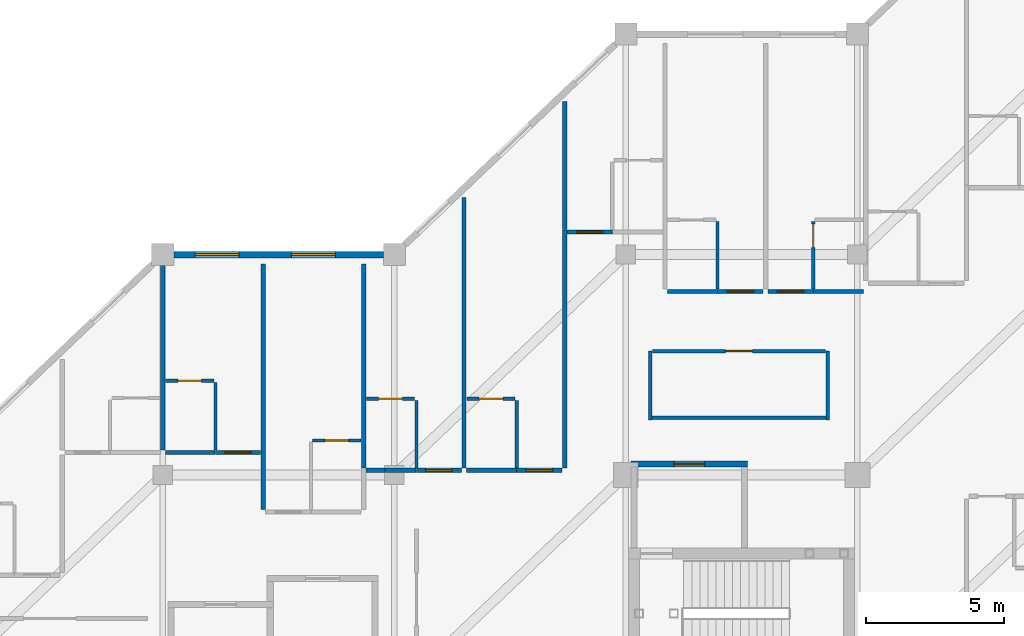
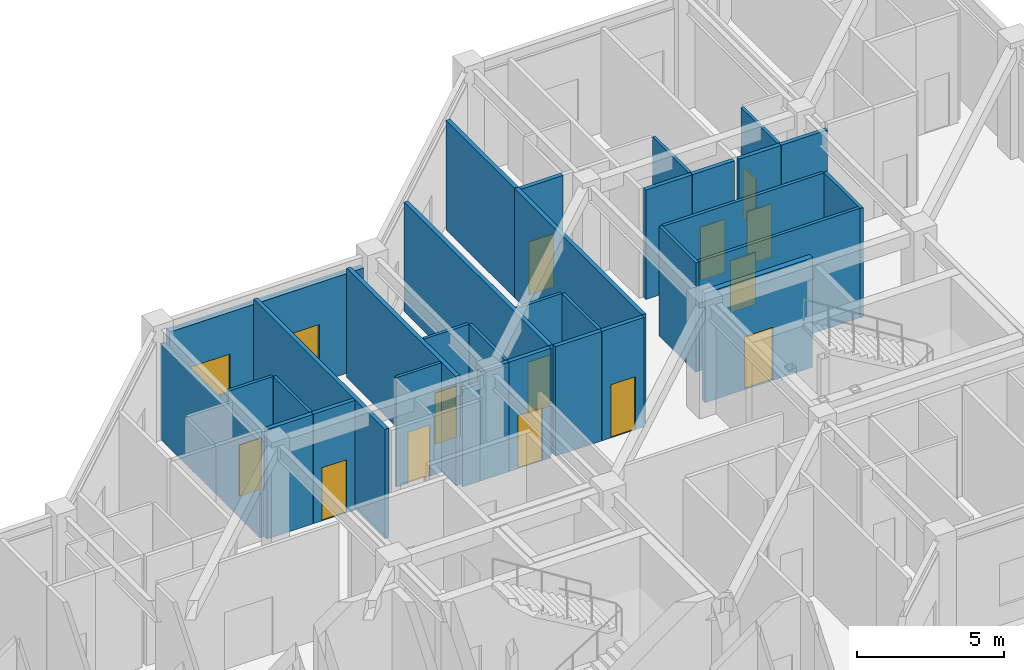
# One storey, part 64 of 76: 33 walls, 13 doors, 2 windows, 15 openings.
"""IFC4 building model written with IfcOpenShell, lengths in metres."""

from ifc_helpers import new_model, si_unit, direction, frame, frame_2d, origin, place, context, subcontext, project, spatial, rectangle, extrude, material, layer, layer_set, type_object, element, fill, save


model = new_model("IFC4")

# Units and contexts
model_context = context("Model", 3, precision=1e-05, world=origin(), true_north=direction((0.0, 1.0)))
body_context = subcontext(model_context, "Body", "Model", "MODEL_VIEW")
ifc_project = project(units=[si_unit("LENGTHUNIT", "METRE"), si_unit("AREAUNIT", "SQUARE_METRE"), si_unit("VOLUMEUNIT", "CUBIC_METRE"), si_unit("PLANEANGLEUNIT", "RADIAN"), si_unit("MASSUNIT", "GRAM", prefix="KILO")], contexts=[model_context])

# Site, building, storey
site_placement = place(None, origin())
site = spatial("IfcSite", under=ifc_project, at=site_placement, CompositionType="ELEMENT")
building_placement = place(site_placement, origin())
building = spatial("IfcBuilding", under=site, at=building_placement, Name="Naruveol Harbour Congress Hotel", CompositionType="ELEMENT")
storey_placement = place(building_placement, frame((0.0, 0.0, 11.39990234375)))
storey = spatial("IfcBuildingStorey", under=building, at=storey_placement, Name="L02", CompositionType="ELEMENT", Elevation=11.39990234375)

# Wall
ifc_material_1 = material(Name="Moisture-Resistant Gypsum Partition", Category="gypsum")
ifc_layer_1 = layer(ifc_material_1, 0.114990234375)
ifc_layer_set_1 = layer_set([ifc_layer_1], Name="Moisture-Resistant Gypsum Partition")
wall_type_1 = type_object("IfcWallType", Name="BATHROOM MOISTURE PARTITION WALL 115", PredefinedType="PARTITIONING", material=ifc_layer_set_1)
wall_1_placement = place(storey_placement, frame((153.110107421875, 32.909912109375, 0.0), z_axis=(0.0, 0.0, 1.0), x_axis=(0.0, 1.0, 0.0)))
element("IfcWall", 1, at=wall_1_placement, inside=storey, type_object=wall_type_1, Name="Bathroom east wall 0328 PW-115", PredefinedType="PARTITIONING", context=body_context, shape_type="SweptSolid", body=[
    extrude(rectangle(XDim=2.4501953125, YDim=0.114990234375, at=frame_2d((1.22509765625, 0.0))), origin(), (0.0, 0.0, 1.0), 4.53515625),
])

# Wall, opening, door
wall_2_placement = place(storey_placement, frame((151.300048828125, 35.419921875, 0.0), z_axis=(0.0, 0.0, 1.0), x_axis=(1.0, 0.0, 0.0)))
wall_2 = element("IfcWall", 2, at=wall_2_placement, inside=storey, type_object=wall_type_1, Name="Bathroom north wall 0328 PW-115", PredefinedType="PARTITIONING", context=body_context, shape_type="SweptSolid", body=[
    extrude(rectangle(XDim=1.75, YDim=0.114990234375, at=frame_2d((0.875, 0.0))), origin(), (0.0, 0.0, 1.0), 4.53515625),
])
opening_1_placement = place(wall_2_placement, frame((0.445068359375, 0.0, 0.0)))
opening_1 = element("IfcOpeningElement", 3, at=opening_1_placement, cuts=wall_2, Name="Opening BD-RM0328", PredefinedType="OPENING", context=body_context, shape_type="SweptSolid", body=[
    extrude(rectangle(XDim=0.860107421875, YDim=2.1201171875, at=frame_2d((0.43017578125, 1.06005859375))), frame((0.0, 0.0673828125, 0.0), z_axis=(0.0, -1.0, 0.0), x_axis=(1.0, 0.0, 0.0)), (0.0, 0.0, 1.0), 0.135009765625),
])
ifc_material_2 = material(Name="Timber & Steel Acoustic Leaf", Category="steel")
door_type_1 = type_object("IfcDoorType", Name="GUEST BATHROOM DOOR 860X2120", OperationType="NOTDEFINED", PredefinedType="DOOR", material=ifc_material_2)
door_1_placement = place(opening_1_placement, origin())
door_1 = element("IfcDoor", 4, at=door_1_placement, inside=storey, type_object=door_type_1, Name="Bathroom Door 0328", OperationType="SINGLE_SWING_RIGHT", OverallHeight=2.1201171875, OverallWidth=0.860107421875, PredefinedType="DOOR", context=body_context, shape_type="SweptSolid", body=[
    extrude(rectangle(XDim=0.860107421875, YDim=2.1201171875, at=frame_2d((0.43017578125, 1.06005859375))), frame((0.0, 0.02490234375, 0.0), z_axis=(0.0, -1.0, 0.0), x_axis=(1.0, 0.0, 0.0)), (0.0, 0.0, 1.0), 0.050048828125),
])
fill(opening_1, door_1)

wall_3_placement = place(storey_placement, frame((156.639892578125, 33.260009765625, 0.0), z_axis=(0.0, 0.0, 1.0), x_axis=(1.0, 0.0, 0.0)))
wall_3 = element("IfcWall", 5, at=wall_3_placement, inside=storey, type_object=wall_type_1, Name="Bathroom north wall 0329 PW-115", PredefinedType="PARTITIONING", context=body_context, shape_type="SweptSolid", body=[
    extrude(rectangle(XDim=1.75, YDim=0.114990234375, at=frame_2d((0.875, 0.0))), origin(), (0.0, 0.0, 1.0), 4.53515625),
])
opening_2_placement = place(wall_3_placement, frame((0.445068359375, 0.0, 0.0)))
opening_2 = element("IfcOpeningElement", 6, at=opening_2_placement, cuts=wall_3, Name="Opening BD-RM0329", PredefinedType="OPENING", context=body_context, shape_type="SweptSolid", body=[
    extrude(rectangle(XDim=0.860107421875, YDim=2.1201171875, at=frame_2d((0.43017578125, 1.06005859375))), frame((0.0, 0.0673828125, 0.0), z_axis=(0.0, -1.0, 0.0), x_axis=(1.0, 0.0, 0.0)), (0.0, 0.0, 1.0), 0.135009765625),
])
door_2_placement = place(opening_2_placement, origin())
door_2 = element("IfcDoor", 7, at=door_2_placement, inside=storey, type_object=door_type_1, Name="Bathroom Door 0329", OperationType="SINGLE_SWING_RIGHT", OverallHeight=2.1201171875, OverallWidth=0.860107421875, PredefinedType="DOOR", context=body_context, shape_type="SweptSolid", body=[
    extrude(rectangle(XDim=0.860107421875, YDim=2.1201171875, at=frame_2d((0.43017578125, 1.06005859375))), frame((0.0, 0.02490234375, 0.0), z_axis=(0.0, -1.0, 0.0), x_axis=(1.0, 0.0, 0.0)), (0.0, 0.0, 1.0), 0.050048828125),
])
fill(opening_2, door_2)

# Wall
wall_4_placement = place(storey_placement, frame((160.39990234375, 32.260009765625, 0.0), z_axis=(0.0, 0.0, 1.0), x_axis=(0.0, 1.0, 0.0)))
element("IfcWall", 8, at=wall_4_placement, inside=storey, type_object=wall_type_1, Name="Bathroom east wall 0330 PW-115", PredefinedType="PARTITIONING", context=body_context, shape_type="SweptSolid", body=[
    extrude(rectangle(XDim=2.449951171875, YDim=0.114990234375, at=frame_2d((1.22509765625, 0.0))), origin(), (0.0, 0.0, 1.0), 4.53515625),
])

# Wall, opening, door
wall_5_placement = place(storey_placement, frame((158.590087890625, 34.77001953125, 0.0), z_axis=(0.0, 0.0, 1.0), x_axis=(1.0, 0.0, 0.0)))
wall_5 = element("IfcWall", 9, at=wall_5_placement, inside=storey, type_object=wall_type_1, Name="Bathroom north wall 0330 PW-115", PredefinedType="PARTITIONING", context=body_context, shape_type="SweptSolid", body=[
    extrude(rectangle(XDim=1.75, YDim=0.114990234375, at=frame_2d((0.875, 0.0))), origin(), (0.0, 0.0, 1.0), 4.53515625),
])
opening_3_placement = place(wall_5_placement, frame((0.445068359375, 0.0, 0.0)))
opening_3 = element("IfcOpeningElement", 10, at=opening_3_placement, cuts=wall_5, Name="Opening BD-RM0330", PredefinedType="OPENING", context=body_context, shape_type="SweptSolid", body=[
    extrude(rectangle(XDim=0.860107421875, YDim=2.1201171875, at=frame_2d((0.43017578125, 1.06005859375))), frame((0.0, 0.0673828125, 0.0), z_axis=(0.0, -1.0, 0.0), x_axis=(1.0, 0.0, 0.0)), (0.0, 0.0, 1.0), 0.135009765625),
])
door_3_placement = place(opening_3_placement, origin())
door_3 = element("IfcDoor", 11, at=door_3_placement, inside=storey, type_object=door_type_1, Name="Bathroom Door 0330", OperationType="SINGLE_SWING_RIGHT", OverallHeight=2.1201171875, OverallWidth=0.860107421875, PredefinedType="DOOR", context=body_context, shape_type="SweptSolid", body=[
    extrude(rectangle(XDim=0.860107421875, YDim=2.1201171875, at=frame_2d((0.43017578125, 1.06005859375))), frame((0.0, 0.02490234375, 0.0), z_axis=(0.0, -1.0, 0.0), x_axis=(1.0, 0.0, 0.0)), (0.0, 0.0, 1.0), 0.050048828125),
])
fill(opening_3, door_3)

# Wall
wall_6_placement = place(storey_placement, frame((164.0400390625, 32.260009765625, 0.0), z_axis=(0.0, 0.0, 1.0), x_axis=(0.0, 1.0, 0.0)))
element("IfcWall", 12, at=wall_6_placement, inside=storey, type_object=wall_type_1, Name="Bathroom east wall 0331 PW-115", PredefinedType="PARTITIONING", context=body_context, shape_type="SweptSolid", body=[
    extrude(rectangle(XDim=2.449951171875, YDim=0.114990234375, at=frame_2d((1.22509765625, 0.0))), origin(), (0.0, 0.0, 1.0), 4.53515625),
])

# Wall, opening, door
wall_7_placement = place(storey_placement, frame((162.22998046875, 34.77001953125, 0.0), z_axis=(0.0, 0.0, 1.0), x_axis=(1.0, 0.0, 0.0)))
wall_7 = element("IfcWall", 13, at=wall_7_placement, inside=storey, type_object=wall_type_1, Name="Bathroom north wall 0331 PW-115", PredefinedType="PARTITIONING", context=body_context, shape_type="SweptSolid", body=[
    extrude(rectangle(XDim=1.75, YDim=0.114990234375, at=frame_2d((0.875, 0.0))), origin(), (0.0, 0.0, 1.0), 4.53515625),
])
opening_4_placement = place(wall_7_placement, frame((0.445068359375, 0.0, 0.0)))
opening_4 = element("IfcOpeningElement", 14, at=opening_4_placement, cuts=wall_7, Name="Opening BD-RM0331", PredefinedType="OPENING", context=body_context, shape_type="SweptSolid", body=[
    extrude(rectangle(XDim=0.860107421875, YDim=2.1201171875, at=frame_2d((0.43017578125, 1.06005859375))), frame((0.0, 0.0673828125, 0.0), z_axis=(0.0, -1.0, 0.0), x_axis=(1.0, 0.0, 0.0)), (0.0, 0.0, 1.0), 0.135009765625),
])
door_4_placement = place(opening_4_placement, origin())
door_4 = element("IfcDoor", 15, at=door_4_placement, inside=storey, type_object=door_type_1, Name="Bathroom Door 0331", OperationType="SINGLE_SWING_RIGHT", OverallHeight=2.1201171875, OverallWidth=0.860107421875, PredefinedType="DOOR", context=body_context, shape_type="SweptSolid", body=[
    extrude(rectangle(XDim=0.860107421875, YDim=2.1201171875, at=frame_2d((0.43017578125, 1.06005859375))), frame((0.0, 0.02490234375, 0.0), z_axis=(0.0, -1.0, 0.0), x_axis=(1.0, 0.0, 0.0)), (0.0, 0.0, 1.0), 0.050048828125),
])
fill(opening_4, door_4)

# Wall
wall_8_placement = place(storey_placement, frame((171.330078125, 38.75, 0.0), z_axis=(0.0, 0.0, 1.0), x_axis=(0.0, 1.0, 0.0)))
element("IfcWall", 16, at=wall_8_placement, inside=storey, type_object=wall_type_1, Name="Bathroom east wall 0333 PW-115", PredefinedType="PARTITIONING", context=body_context, shape_type="SweptSolid", body=[
    extrude(rectangle(XDim=2.449951171875, YDim=0.114990234375, at=frame_2d((1.22509765625, 0.0))), origin(), (0.0, 0.0, 1.0), 4.53515625),
])

# Wall, opening, door
wall_9_placement = place(storey_placement, frame((174.800048828125, 38.75, 0.0), z_axis=(0.0, 0.0, 1.0), x_axis=(0.0, 1.0, 0.0)))
wall_9 = element("IfcWall", 17, at=wall_9_placement, inside=storey, type_object=wall_type_1, Name="Bathroom west wall 0334 PW-115", PredefinedType="PARTITIONING", context=body_context, shape_type="SweptSolid", body=[
    extrude(rectangle(XDim=2.449951171875, YDim=0.114990234375, at=frame_2d((1.22509765625, 0.0))), origin(), (0.0, 0.0, 1.0), 4.53515625),
])
opening_5_placement = place(wall_9_placement, frame((1.5, 0.0, 0.0)))
opening_5 = element("IfcOpeningElement", 18, at=opening_5_placement, cuts=wall_9, Name="Opening BD-RM0334", PredefinedType="OPENING", context=body_context, shape_type="SweptSolid", body=[
    extrude(rectangle(XDim=0.860107421875, YDim=2.1201171875, at=frame_2d((0.43017578125, 1.06005859375))), frame((0.0, 0.0673828125, 0.0), z_axis=(0.0, -1.0, 0.0), x_axis=(1.0, 0.0, 0.0)), (0.0, 0.0, 1.0), 0.135009765625),
])
door_5_placement = place(opening_5_placement, origin())
door_5 = element("IfcDoor", 19, at=door_5_placement, inside=storey, type_object=door_type_1, Name="Bathroom Door 0334", OperationType="SINGLE_SWING_RIGHT", OverallHeight=2.1201171875, OverallWidth=0.860107421875, PredefinedType="DOOR", context=body_context, shape_type="SweptSolid", body=[
    extrude(rectangle(XDim=0.860107421875, YDim=2.1201171875, at=frame_2d((0.43017578125, 1.06005859375))), frame((0.0, 0.02490234375, 0.0), z_axis=(0.0, -1.0, 0.0), x_axis=(1.0, 0.0, 0.0)), (0.0, 0.0, 1.0), 0.050048828125),
])
fill(opening_5, door_5)

ifc_material_3 = material(Name="Concrete C40/50", Category="concrete")
ifc_layer_2 = layer(ifc_material_3, 0.219970703125)
ifc_layer_set_2 = layer_set([ifc_layer_2], Name="Concrete C40/50")
wall_type_2 = type_object("IfcWallType", Name="FIRE COMPARTMENT AND LOBBY WALL 220 EI120", PredefinedType="PARTITIONING", material=ifc_layer_set_2)
wall_10_placement = place(storey_placement, frame((168.18994140625, 32.39990234375, 0.0), z_axis=(0.0, 0.0, 1.0), x_axis=(1.0, 0.0, 0.0)))
wall_10 = element("IfcWall", 20, at=wall_10_placement, inside=storey, type_object=wall_type_2, Name="Smoke vestibule ST4 north wall FW-220", PredefinedType="PARTITIONING", context=body_context, shape_type="SweptSolid", body=[
    extrude(rectangle(XDim=4.219970703125, YDim=0.219970703125, at=frame_2d((2.10986328125, 0.0))), origin(), (0.0, 0.0, 1.0), 4.53515625),
])
opening_6_placement = place(wall_10_placement, frame((1.550048828125, 0.0, 0.0)))
opening_6 = element("IfcOpeningElement", 21, at=opening_6_placement, cuts=wall_10, Name="Opening FD-ST4-V-L02", PredefinedType="OPENING", context=body_context, shape_type="SweptSolid", body=[
    extrude(rectangle(XDim=1.1201171875, YDim=2.199951171875, at=frame_2d((0.56005859375, 1.10009765625))), frame((0.0, 0.119873046875, 0.0), z_axis=(0.0, -1.0, 0.0), x_axis=(1.0, 0.0, 0.0)), (0.0, 0.0, 1.0), 0.239990234375),
])
ifc_material_4 = material(Name="Timber & Steel Acoustic Leaf", Category="steel")
door_type_2 = type_object("IfcDoorType", Name="VESTIBULE SMOKE CONTROL FIRE DOOR 1120X2200", OperationType="NOTDEFINED", PredefinedType="DOOR", material=ifc_material_4)
door_6_placement = place(opening_6_placement, origin())
door_6 = element("IfcDoor", 22, at=door_6_placement, inside=storey, type_object=door_type_2, Name="Smoke Vestibule Entry Door ST4 L02", OperationType="SINGLE_SWING_LEFT", OverallHeight=2.199951171875, OverallWidth=1.1201171875, PredefinedType="DOOR", context=body_context, shape_type="SweptSolid", body=[
    extrude(rectangle(XDim=1.1201171875, YDim=2.199951171875, at=frame_2d((0.56005859375, 1.10009765625))), frame((0.0, 0.02490234375, 0.0), z_axis=(0.0, -1.0, 0.0), x_axis=(1.0, 0.0, 0.0)), (0.0, 0.0, 1.0), 0.050048828125),
])
fill(opening_6, door_6)

# Wall
ifc_material_5 = material(Name="Autoclaved Aerated Concrete Block", Category="concrete")
ifc_layer_3 = layer(ifc_material_5, 0.159912109375)
ifc_layer_set_3 = layer_set([ifc_layer_3], Name="Autoclaved Aerated Concrete Block")
wall_type_3 = type_object("IfcWallType", Name="HOTEL PARTY AND CORRIDOR WALL 160 EI60", PredefinedType="PARTITIONING", material=ifc_layer_set_3)
wall_11_placement = place(storey_placement, frame((151.2900390625, 32.820068359375, 0.0), z_axis=(0.0, 0.0, 1.0), x_axis=(1.0, 0.0, 0.0)))
element("IfcWall", 23, at=wall_11_placement, inside=storey, type_object=wall_type_3, Name="Corridor wall 0328B PW-160", PredefinedType="PARTITIONING", context=body_context, shape_type="SweptSolid", body=[
    extrude(rectangle(XDim=1.81005859375, YDim=0.159912109375, at=frame_2d((0.905029296875, 0.0))), origin(), (0.0, 0.0, 1.0), 4.53515625),
])

# Wall, opening, door
wall_12_placement = place(storey_placement, frame((153.110107421875, 32.820068359375, 0.0), z_axis=(0.0, 0.0, 1.0), x_axis=(1.0, 0.0, 0.0)))
wall_12 = element("IfcWall", 24, at=wall_12_placement, inside=storey, type_object=wall_type_3, Name="Corridor entry wall 0328 PW-160", PredefinedType="PARTITIONING", context=body_context, shape_type="SweptSolid", body=[
    extrude(rectangle(XDim=1.639892578125, YDim=0.159912109375, at=frame_2d((0.81982421875, 0.0))), origin(), (0.0, 0.0, 1.0), 4.53515625),
])
opening_7_placement = place(wall_12_placement, frame((0.340087890625, 0.0, 0.0)))
opening_7 = element("IfcOpeningElement", 25, at=opening_7_placement, cuts=wall_12, Name="Opening FD-RM0328", PredefinedType="OPENING", context=body_context, shape_type="SweptSolid", body=[
    extrude(rectangle(XDim=0.9599609375, YDim=2.199951171875, at=frame_2d((0.47998046875, 1.10009765625))), frame((0.0, 0.08984375, 0.0), z_axis=(0.0, -1.0, 0.0), x_axis=(1.0, 0.0, 0.0)), (0.0, 0.0, 1.0), 0.179931640625),
])
ifc_material_6 = material(Name="Timber & Steel Acoustic Leaf", Category="steel")
door_type_3 = type_object("IfcDoorType", Name="GUEST ROOM ENTRANCE FIRE DOOR 960X2200", OperationType="NOTDEFINED", PredefinedType="DOOR", material=ifc_material_6)
door_7_placement = place(opening_7_placement, origin())
door_7 = element("IfcDoor", 26, at=door_7_placement, inside=storey, type_object=door_type_3, Name="Hotel Room Door 0328", OperationType="SINGLE_SWING_LEFT", OverallHeight=2.199951171875, OverallWidth=0.9599609375, PredefinedType="DOOR", context=body_context, shape_type="SweptSolid", body=[
    extrude(rectangle(XDim=0.9599609375, YDim=2.199951171875, at=frame_2d((0.47998046875, 1.10009765625))), frame((0.0, 0.02490234375, 0.0), z_axis=(0.0, -1.0, 0.0), x_axis=(1.0, 0.0, 0.0)), (0.0, 0.0, 1.0), 0.050048828125),
])
fill(opening_7, door_7)

# Walls
wall_13_placement = place(storey_placement, frame((151.199951171875, 32.909912109375, 0.0), z_axis=(0.0, 0.0, 1.0), x_axis=(0.0, 1.0, 0.0)))
element("IfcWall", 27, at=wall_13_placement, inside=storey, type_object=wall_type_3, Name="Hotel party wall 0328 PW-160", PredefinedType="PARTITIONING", context=body_context, shape_type="SweptSolid", body=[
    extrude(rectangle(XDim=6.75, YDim=0.159912109375, at=frame_2d((3.375, 0.0))), origin(), (0.0, 0.0, 1.0), 3.97998046875),
])
wall_14_placement = place(storey_placement, frame((154.840087890625, 30.75, 0.0), z_axis=(0.0, 0.0, 1.0), x_axis=(0.0, 1.0, 0.0)))
element("IfcWall", 28, at=wall_14_placement, inside=storey, type_object=wall_type_3, Name="Hotel party wall 0329 PW-160", PredefinedType="PARTITIONING", context=body_context, shape_type="SweptSolid", body=[
    extrude(rectangle(XDim=8.909912109375, YDim=0.159912109375, at=frame_2d((4.455078125, 0.0))), origin(), (0.0, 0.0, 1.0), 4.53515625),
])
wall_15_placement = place(storey_placement, frame((158.580078125, 32.169921875, 0.0), z_axis=(0.0, 0.0, 1.0), x_axis=(1.0, 0.0, 0.0)))
element("IfcWall", 29, at=wall_15_placement, inside=storey, type_object=wall_type_3, Name="Corridor wall 0330B PW-160", PredefinedType="PARTITIONING", context=body_context, shape_type="SweptSolid", body=[
    extrude(rectangle(XDim=0.673828125, YDim=0.159912109375, at=frame_2d((0.3369140625, 0.0))), origin(), (0.0, 0.0, 1.0), 4.030029296875),
])

# Wall, opening, door
wall_16_placement = place(storey_placement, frame((160.39990234375, 32.169921875, 0.0), z_axis=(0.0, 0.0, 1.0), x_axis=(1.0, 0.0, 0.0)))
wall_16 = element("IfcWall", 30, at=wall_16_placement, inside=storey, type_object=wall_type_3, Name="Corridor entry wall 0330 PW-160", PredefinedType="PARTITIONING", context=body_context, shape_type="SweptSolid", body=[
    extrude(rectangle(XDim=1.64013671875, YDim=0.159912109375, at=frame_2d((0.820068359375, 0.0))), origin(), (0.0, 0.0, 1.0), 4.53515625),
])
opening_8_placement = place(wall_16_placement, frame((0.340087890625, 0.0, 0.0)))
opening_8 = element("IfcOpeningElement", 31, at=opening_8_placement, cuts=wall_16, Name="Opening FD-RM0330", PredefinedType="OPENING", context=body_context, shape_type="SweptSolid", body=[
    extrude(rectangle(XDim=0.9599609375, YDim=2.199951171875, at=frame_2d((0.47998046875, 1.10009765625))), frame((0.0, 0.08984375, 0.0), z_axis=(0.0, -1.0, 0.0), x_axis=(1.0, 0.0, 0.0)), (0.0, 0.0, 1.0), 0.179931640625),
])
door_8_placement = place(opening_8_placement, origin())
door_8 = element("IfcDoor", 32, at=door_8_placement, inside=storey, type_object=door_type_3, Name="Hotel Room Door 0330", OperationType="SINGLE_SWING_LEFT", OverallHeight=2.199951171875, OverallWidth=0.9599609375, PredefinedType="DOOR", context=body_context, shape_type="SweptSolid", body=[
    extrude(rectangle(XDim=0.9599609375, YDim=2.199951171875, at=frame_2d((0.47998046875, 1.10009765625))), frame((0.0, 0.02490234375, 0.0), z_axis=(0.0, -1.0, 0.0), x_axis=(1.0, 0.0, 0.0)), (0.0, 0.0, 1.0), 0.050048828125),
])
fill(opening_8, door_8)

# Walls
wall_17_placement = place(storey_placement, frame((158.489990234375, 32.260009765625, 0.0), z_axis=(0.0, 0.0, 1.0), x_axis=(0.0, 1.0, 0.0)))
element("IfcWall", 33, at=wall_17_placement, inside=storey, type_object=wall_type_3, Name="Hotel party wall 0330 PW-160", PredefinedType="PARTITIONING", context=body_context, shape_type="SweptSolid", body=[
    extrude(rectangle(XDim=7.39990234375, YDim=0.159912109375, at=frame_2d((3.699951171875, 0.0))), origin(), (0.0, 0.0, 1.0), 4.53515625),
])
wall_18_placement = place(storey_placement, frame((162.219970703125, 32.169921875, 0.0), z_axis=(0.0, 0.0, 1.0), x_axis=(1.0, 0.0, 0.0)))
element("IfcWall", 34, at=wall_18_placement, inside=storey, type_object=wall_type_3, Name="Corridor wall 0331B PW-160", PredefinedType="PARTITIONING", context=body_context, shape_type="SweptSolid", body=[
    extrude(rectangle(XDim=1.81005859375, YDim=0.159912109375, at=frame_2d((0.905029296875, 0.0))), origin(), (0.0, 0.0, 1.0), 4.53515625),
])

# Wall, opening, door
wall_19_placement = place(storey_placement, frame((164.0400390625, 32.169921875, 0.0), z_axis=(0.0, 0.0, 1.0), x_axis=(1.0, 0.0, 0.0)))
wall_19 = element("IfcWall", 35, at=wall_19_placement, inside=storey, type_object=wall_type_3, Name="Corridor entry wall 0331 PW-160", PredefinedType="PARTITIONING", context=body_context, shape_type="SweptSolid", body=[
    extrude(rectangle(XDim=1.64990234375, YDim=0.159912109375, at=frame_2d((0.824951171875, 0.0))), origin(), (0.0, 0.0, 1.0), 4.53515625),
])
opening_9_placement = place(wall_19_placement, frame((0.344970703125, 0.0, 0.0)))
opening_9 = element("IfcOpeningElement", 36, at=opening_9_placement, cuts=wall_19, Name="Opening FD-RM0331", PredefinedType="OPENING", context=body_context, shape_type="SweptSolid", body=[
    extrude(rectangle(XDim=0.9599609375, YDim=2.199951171875, at=frame_2d((0.47998046875, 1.10009765625))), frame((0.0, 0.08984375, 0.0), z_axis=(0.0, -1.0, 0.0), x_axis=(1.0, 0.0, 0.0)), (0.0, 0.0, 1.0), 0.179931640625),
])
door_9_placement = place(opening_9_placement, origin())
door_9 = element("IfcDoor", 37, at=door_9_placement, inside=storey, type_object=door_type_3, Name="Hotel Room Door 0331", OperationType="SINGLE_SWING_LEFT", OverallHeight=2.199951171875, OverallWidth=0.9599609375, PredefinedType="DOOR", context=body_context, shape_type="SweptSolid", body=[
    extrude(rectangle(XDim=0.9599609375, YDim=2.199951171875, at=frame_2d((0.47998046875, 1.10009765625))), frame((0.0, 0.02490234375, 0.0), z_axis=(0.0, -1.0, 0.0), x_axis=(1.0, 0.0, 0.0)), (0.0, 0.0, 1.0), 0.050048828125),
])
fill(opening_9, door_9)

# Walls
wall_20_placement = place(storey_placement, frame((162.1298828125, 32.260009765625, 0.0), z_axis=(0.0, 0.0, 1.0), x_axis=(0.0, 1.0, 0.0)))
element("IfcWall", 38, at=wall_20_placement, inside=storey, type_object=wall_type_3, Name="Hotel party wall 0331 PW-160", PredefinedType="PARTITIONING", context=body_context, shape_type="SweptSolid", body=[
    extrude(rectangle(XDim=9.81005859375, YDim=0.159912109375, at=frame_2d((4.905029296875, 0.0))), origin(), (0.0, 0.0, 1.0), 4.53515625),
])
wall_21_placement = place(storey_placement, frame((165.780029296875, 32.260009765625, 0.0), z_axis=(0.0, 0.0, 1.0), x_axis=(0.0, 1.0, 0.0)))
element("IfcWall", 39, at=wall_21_placement, inside=storey, type_object=wall_type_3, Name="Hotel end party wall 0331 PW-160", PredefinedType="PARTITIONING", context=body_context, shape_type="SweptSolid", body=[
    extrude(rectangle(XDim=8.639892578125, YDim=0.159912109375, at=frame_2d((4.31982421875, 0.0))), origin(), (0.0, 0.0, 1.0), 4.53515625),
])

# Wall, opening, door
wall_22_placement = place(storey_placement, frame((165.8701171875, 40.820068359375, 0.0), z_axis=(0.0, 0.0, 1.0), x_axis=(1.0, 0.0, 0.0)))
wall_22 = element("IfcWall", 40, at=wall_22_placement, inside=storey, type_object=wall_type_3, Name="Corridor entry wall 0332 PW-160", PredefinedType="PARTITIONING", context=body_context, shape_type="SweptSolid", body=[
    extrude(rectangle(XDim=1.639892578125, YDim=0.159912109375, at=frame_2d((0.81982421875, 0.0))), origin(), (0.0, 0.0, 1.0), 4.53515625),
])
opening_10_placement = place(wall_22_placement, frame((0.340087890625, 0.0, 0.0)))
opening_10 = element("IfcOpeningElement", 41, at=opening_10_placement, cuts=wall_22, Name="Opening FD-RM0332", PredefinedType="OPENING", context=body_context, shape_type="SweptSolid", body=[
    extrude(rectangle(XDim=0.9599609375, YDim=2.199951171875, at=frame_2d((0.47998046875, 1.10009765625))), frame((0.0, 0.08984375, 0.0), z_axis=(0.0, -1.0, 0.0), x_axis=(1.0, 0.0, 0.0)), (0.0, 0.0, 1.0), 0.179931640625),
])
door_10_placement = place(opening_10_placement, origin())
door_10 = element("IfcDoor", 42, at=door_10_placement, inside=storey, type_object=door_type_3, Name="Hotel Room Door 0332", OperationType="SINGLE_SWING_LEFT", OverallHeight=2.199951171875, OverallWidth=0.9599609375, PredefinedType="DOOR", context=body_context, shape_type="SweptSolid", body=[
    extrude(rectangle(XDim=0.9599609375, YDim=2.199951171875, at=frame_2d((0.47998046875, 1.10009765625))), frame((0.0, 0.02490234375, 0.0), z_axis=(0.0, -1.0, 0.0), x_axis=(1.0, 0.0, 0.0)), (0.0, 0.0, 1.0), 0.050048828125),
])
fill(opening_10, door_10)

# Walls
wall_23_placement = place(storey_placement, frame((165.780029296875, 40.909912109375, 0.0), z_axis=(0.0, 0.0, 1.0), x_axis=(0.0, 1.0, 0.0)))
element("IfcWall", 43, at=wall_23_placement, inside=storey, type_object=wall_type_3, Name="Hotel party wall 0332 PW-160", PredefinedType="PARTITIONING", context=body_context, shape_type="SweptSolid", body=[
    extrude(rectangle(XDim=4.64013671875, YDim=0.159912109375, at=frame_2d((2.320068359375, 0.0))), origin(), (0.0, 0.0, 1.0), 4.53515625),
])
wall_24_placement = place(storey_placement, frame((169.510009765625, 38.659912109375, 0.0), z_axis=(0.0, 0.0, 1.0), x_axis=(1.0, 0.0, 0.0)))
element("IfcWall", 44, at=wall_24_placement, inside=storey, type_object=wall_type_3, Name="Corridor wall 0333B PW-160", PredefinedType="PARTITIONING", context=body_context, shape_type="SweptSolid", body=[
    extrude(rectangle(XDim=1.81005859375, YDim=0.159912109375, at=frame_2d((0.905029296875, 0.0))), origin(), (0.0, 0.0, 1.0), 4.53515625),
])

# Wall, opening, door
wall_25_placement = place(storey_placement, frame((171.330078125, 38.659912109375, 0.0), z_axis=(0.0, 0.0, 1.0), x_axis=(1.0, 0.0, 0.0)))
wall_25 = element("IfcWall", 45, at=wall_25_placement, inside=storey, type_object=wall_type_3, Name="Corridor entry wall 0333 PW-160", PredefinedType="PARTITIONING", context=body_context, shape_type="SweptSolid", body=[
    extrude(rectangle(XDim=1.64990234375, YDim=0.159912109375, at=frame_2d((0.824951171875, 0.0))), origin(), (0.0, 0.0, 1.0), 4.53515625),
])
opening_11_placement = place(wall_25_placement, frame((0.344970703125, 0.0, 0.0)))
opening_11 = element("IfcOpeningElement", 46, at=opening_11_placement, cuts=wall_25, Name="Opening FD-RM0333", PredefinedType="OPENING", context=body_context, shape_type="SweptSolid", body=[
    extrude(rectangle(XDim=0.9599609375, YDim=2.199951171875, at=frame_2d((0.47998046875, 1.10009765625))), frame((0.0, 0.08984375, 0.0), z_axis=(0.0, -1.0, 0.0), x_axis=(1.0, 0.0, 0.0)), (0.0, 0.0, 1.0), 0.179931640625),
])
door_11_placement = place(opening_11_placement, origin())
door_11 = element("IfcDoor", 47, at=door_11_placement, inside=storey, type_object=door_type_3, Name="Hotel Room Door 0333", OperationType="SINGLE_SWING_LEFT", OverallHeight=2.199951171875, OverallWidth=0.9599609375, PredefinedType="DOOR", context=body_context, shape_type="SweptSolid", body=[
    extrude(rectangle(XDim=0.9599609375, YDim=2.199951171875, at=frame_2d((0.47998046875, 1.10009765625))), frame((0.0, 0.02490234375, 0.0), z_axis=(0.0, -1.0, 0.0), x_axis=(1.0, 0.0, 0.0)), (0.0, 0.0, 1.0), 0.050048828125),
])
fill(opening_11, door_11)

wall_26_placement = place(storey_placement, frame((173.159912109375, 38.659912109375, 0.0), z_axis=(0.0, 0.0, 1.0), x_axis=(1.0, 0.0, 0.0)))
wall_26 = element("IfcWall", 48, at=wall_26_placement, inside=storey, type_object=wall_type_3, Name="Corridor entry wall 0334 PW-160", PredefinedType="PARTITIONING", context=body_context, shape_type="SweptSolid", body=[
    extrude(rectangle(XDim=1.64013671875, YDim=0.159912109375, at=frame_2d((0.820068359375, 0.0))), origin(), (0.0, 0.0, 1.0), 4.53515625),
])
opening_12_placement = place(wall_26_placement, frame((0.340087890625, 0.0, 0.0)))
opening_12 = element("IfcOpeningElement", 49, at=opening_12_placement, cuts=wall_26, Name="Opening FD-RM0334", PredefinedType="OPENING", context=body_context, shape_type="SweptSolid", body=[
    extrude(rectangle(XDim=0.9599609375, YDim=2.199951171875, at=frame_2d((0.47998046875, 1.10009765625))), frame((0.0, 0.08984375, 0.0), z_axis=(0.0, -1.0, 0.0), x_axis=(1.0, 0.0, 0.0)), (0.0, 0.0, 1.0), 0.179931640625),
])
door_12_placement = place(opening_12_placement, origin())
door_12 = element("IfcDoor", 50, at=door_12_placement, inside=storey, type_object=door_type_3, Name="Hotel Room Door 0334", OperationType="SINGLE_SWING_LEFT", OverallHeight=2.199951171875, OverallWidth=0.9599609375, PredefinedType="DOOR", context=body_context, shape_type="SweptSolid", body=[
    extrude(rectangle(XDim=0.9599609375, YDim=2.199951171875, at=frame_2d((0.47998046875, 1.10009765625))), frame((0.0, 0.02490234375, 0.0), z_axis=(0.0, -1.0, 0.0), x_axis=(1.0, 0.0, 0.0)), (0.0, 0.0, 1.0), 0.050048828125),
])
fill(opening_12, door_12)

# Walls
wall_27_placement = place(storey_placement, frame((174.81005859375, 38.659912109375, 0.0), z_axis=(0.0, 0.0, 1.0), x_axis=(1.0, 0.0, 0.0)))
element("IfcWall", 51, at=wall_27_placement, inside=storey, type_object=wall_type_3, Name="Corridor wall 0334B PW-160", PredefinedType="PARTITIONING", context=body_context, shape_type="SweptSolid", body=[
    extrude(rectangle(XDim=1.81005859375, YDim=0.159912109375, at=frame_2d((0.905029296875, 0.0))), origin(), (0.0, 0.0, 1.0), 4.53515625),
])
wall_28_placement = place(storey_placement, frame((159.25390625, 32.169921875, 0.0), z_axis=(0.0, 0.0, 1.0), x_axis=(1.0, 0.0, 0.0)))
element("IfcWall", 52, at=wall_28_placement, inside=storey, type_object=wall_type_3, Name="Corridor wall 0330B PW-160", PredefinedType="PARTITIONING", context=body_context, shape_type="SweptSolid", body=[
    extrude(rectangle(XDim=1.135986328125, YDim=0.159912109375, at=frame_2d((0.56787109375, 0.0))), origin(), (0.0, 0.0, 1.0), 4.53515625),
])

# Wall, openings, windows
ifc_material_7 = material(Name="Concrete C40/50", Category="concrete")
ifc_layer_4 = layer(ifc_material_7, 0.239990234375)
ifc_layer_set_4 = layer_set([ifc_layer_4], Name="Concrete C40/50")
wall_type_4 = type_object("IfcWallType", Name="INSULATED HOTEL SPANDREL WALL 240", PredefinedType="SOLIDWALL", material=ifc_layer_set_4)
wall_29_placement = place(storey_placement, frame((151.60009765625, 40.0, 0.0), z_axis=(0.0, 0.0, 1.0), x_axis=(1.0, 0.0, 0.0)))
wall_29 = element("IfcWall", 53, at=wall_29_placement, inside=storey, type_object=wall_type_4, Name="Hotel north bay wall L02 EW-240", PredefinedType="SOLIDWALL", context=body_context, shape_type="SweptSolid", body=[
    extrude(rectangle(XDim=7.599853515625, YDim=0.239990234375, at=frame_2d((3.7998046875, 0.0))), origin(), (0.0, 0.0, 1.0), 4.130126953125),
])
opening_13_placement = place(wall_29_placement, frame((0.77001953125, 0.0, 0.800048828125)))
opening_13 = element("IfcOpeningElement", 54, at=opening_13_placement, cuts=wall_29, Name="Opening W-03", PredefinedType="OPENING", context=body_context, shape_type="SweptSolid", body=[
    extrude(rectangle(XDim=1.60009765625, YDim=1.60009765625, at=frame_2d((0.800048828125, 0.800048828125))), frame((0.0, 0.1298828125, 0.0), z_axis=(0.0, -1.0, 0.0), x_axis=(1.0, 0.0, 0.0)), (0.0, 0.0, 1.0), 0.260009765625),
])
opening_14_placement = place(wall_29_placement, frame((4.264892578125, 0.0, 0.800048828125)))
opening_14 = element("IfcOpeningElement", 55, at=opening_14_placement, cuts=wall_29, Name="Opening W-03", PredefinedType="OPENING", context=body_context, shape_type="SweptSolid", body=[
    extrude(rectangle(XDim=1.60009765625, YDim=1.60009765625, at=frame_2d((0.800048828125, 0.800048828125))), frame((0.0, 0.1298828125, 0.0), z_axis=(0.0, -1.0, 0.0), x_axis=(1.0, 0.0, 0.0)), (0.0, 0.0, 1.0), 0.260009765625),
])
ifc_material_8 = material(Name="Low-E Triple Glazing in Thermal Aluminium", Category="aluminium")
window_type = type_object("IfcWindowType", Name="DELUXE GUEST WINDOW 1600X1600", PartitioningType="SINGLE_PANEL", PredefinedType="WINDOW", material=ifc_material_8)
window_1_placement = place(opening_13_placement, origin())
window_1 = element("IfcWindow", 56, at=window_1_placement, inside=storey, type_object=window_type, Name="Window W-03 #204", OverallHeight=1.60009765625, OverallWidth=1.60009765625, PartitioningType="SINGLE_PANEL", PredefinedType="WINDOW", context=body_context, shape_type="SweptSolid", body=[
    extrude(rectangle(XDim=1.60009765625, YDim=1.60009765625, at=frame_2d((0.800048828125, 0.800048828125))), frame((0.0, 0.030029296875, 0.0), z_axis=(0.0, -1.0, 0.0), x_axis=(1.0, 0.0, 0.0)), (0.0, 0.0, 1.0), 0.06005859375),
])
fill(opening_13, window_1)
window_2_placement = place(opening_14_placement, origin())
window_2 = element("IfcWindow", 57, at=window_2_placement, inside=storey, type_object=window_type, Name="Window W-03 #205", OverallHeight=1.60009765625, OverallWidth=1.60009765625, PartitioningType="SINGLE_PANEL", PredefinedType="WINDOW", context=body_context, shape_type="SweptSolid", body=[
    extrude(rectangle(XDim=1.60009765625, YDim=1.60009765625, at=frame_2d((0.800048828125, 0.800048828125))), frame((0.0, 0.030029296875, 0.0), z_axis=(0.0, -1.0, 0.0), x_axis=(1.0, 0.0, 0.0)), (0.0, 0.0, 1.0), 0.06005859375),
])
fill(opening_14, window_2)

# Wall, opening, door
ifc_material_9 = material(Name="Acoustic Double Stud Gypsum", Category="gypsum")
ifc_layer_5 = layer(ifc_material_9, 0.125)
ifc_layer_set_5 = layer_set([ifc_layer_5], Name="Acoustic Double Stud Gypsum")
wall_type_5 = type_object("IfcWallType", Name="SERVICE CHASE PARTITION WALL 125", PredefinedType="PARTITIONING", material=ifc_layer_set_5)
wall_30_placement = place(storey_placement, frame((168.9599609375, 36.5, 0.0), z_axis=(0.0, 0.0, 1.0), x_axis=(1.0, 0.0, 0.0)))
wall_30 = element("IfcWall", 58, at=wall_30_placement, inside=storey, type_object=wall_type_5, Name="Accessible Restroom north entry wall PW-125", PredefinedType="PARTITIONING", context=body_context, shape_type="SweptSolid", body=[
    extrude(rectangle(XDim=6.280029296875, YDim=0.125, at=frame_2d((3.14013671875, 0.0))), origin(), (0.0, 0.0, 1.0), 4.53515625),
])
opening_15_placement = place(wall_30_placement, frame((2.64990234375, 0.0, 0.0)))
opening_15 = element("IfcOpeningElement", 59, at=opening_15_placement, cuts=wall_30, Name="Opening BD-ACC-L02-81", PredefinedType="OPENING", context=body_context, shape_type="SweptSolid", body=[
    extrude(rectangle(XDim=0.97998046875, YDim=2.14990234375, at=frame_2d((0.489990234375, 1.074951171875))), frame((0.0, 0.072509765625, 0.0), z_axis=(0.0, -1.0, 0.0), x_axis=(1.0, 0.0, 0.0)), (0.0, 0.0, 1.0), 0.14501953125),
])
ifc_material_10 = material(Name="Timber & Steel Acoustic Leaf", Category="steel")
door_type_4 = type_object("IfcDoorType", Name="ACCESSIBLE RESTROOM DOOR 980X2150", OperationType="NOTDEFINED", PredefinedType="DOOR", material=ifc_material_10)
door_13_placement = place(opening_15_placement, origin())
door_13 = element("IfcDoor", 60, at=door_13_placement, inside=storey, type_object=door_type_4, Name="Accessible Restroom Door L02", OperationType="SINGLE_SWING_LEFT", OverallHeight=2.14990234375, OverallWidth=0.97998046875, PredefinedType="DOOR", context=body_context, shape_type="SweptSolid", body=[
    extrude(rectangle(XDim=0.97998046875, YDim=2.14990234375, at=frame_2d((0.489990234375, 1.074951171875))), frame((0.0, 0.02490234375, 0.0), z_axis=(0.0, -1.0, 0.0), x_axis=(1.0, 0.0, 0.0)), (0.0, 0.0, 1.0), 0.050048828125),
])
fill(opening_15, door_13)

# Walls
for number, where, z_axis, x_axis, name in (
    (61, (168.8798828125, 34.0, 0.0), (0.0, 0.0, 1.0), (0.0, 1.0, 0.0), "Accessible Restroom west enclosure partition PW-125"),
    (62, (175.320068359375, 34.0, 0.0), (0.0, 0.0, 1.0), (0.0, 1.0, 0.0), "Accessible Restroom east enclosure partition PW-125"),
):
    element("IfcWall", number, at=place(storey_placement, frame(where, z_axis=z_axis, x_axis=x_axis)), inside=storey, type_object=wall_type_5, Name=name, PredefinedType="PARTITIONING", context=body_context, shape_type="SweptSolid", body=[
        extrude(rectangle(XDim=2.49609375, YDim=0.125, at=frame_2d((1.248046875, 0.0))), origin(), (0.0, 0.0, 1.0), 4.53515625),
    ])
wall_31_placement = place(storey_placement, frame((168.943115234375, 34.080078125, 0.0), z_axis=(0.0, 0.0, 1.0), x_axis=(1.0, 0.0, 0.0)))
element("IfcWall", 63, at=wall_31_placement, inside=storey, type_object=wall_type_5, Name="Accessible Restroom south enclosure partition PW-125", PredefinedType="PARTITIONING", context=body_context, shape_type="SweptSolid", body=[
    extrude(rectangle(XDim=6.31396484375, YDim=0.125, at=frame_2d((3.156982421875, 0.0))), origin(), (0.0, 0.0, 1.0), 4.53515625),
])

save(model, "model.ifc")
